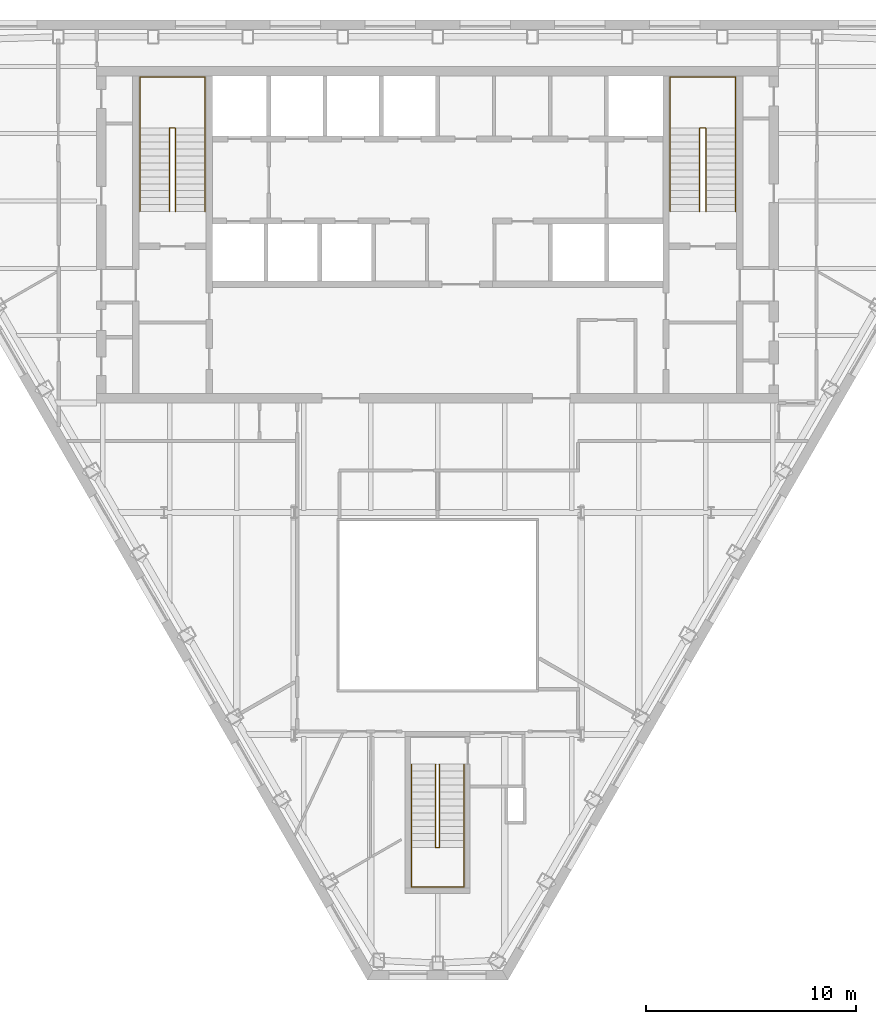
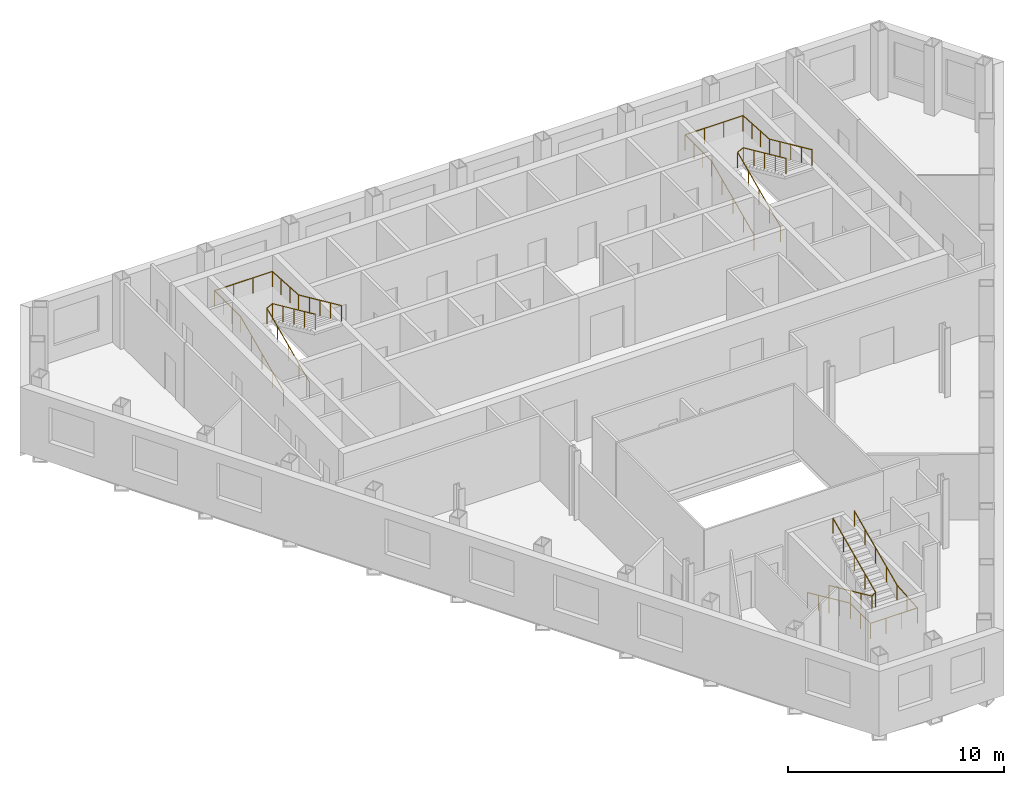
# One storey, part 10 of 10: 6 railings.
"""IFC4 building model written with IfcOpenShell, lengths in metres."""

from ifc_helpers import new_model, si_unit, direction, frame, origin, origin_2d, place, context, subcontext, project, spatial, circle, extrude, material, type_object, element, save


model = new_model("IFC4")

# Units and contexts
model_context = context("Model", 3, precision=1e-05, world=origin(), true_north=direction((0.0, 1.0)))
body_context = subcontext(model_context, "Body", "Model", "MODEL_VIEW")
ifc_project = project(units=[si_unit("LENGTHUNIT", "METRE"), si_unit("AREAUNIT", "SQUARE_METRE"), si_unit("VOLUMEUNIT", "CUBIC_METRE"), si_unit("PLANEANGLEUNIT", "RADIAN"), si_unit("MASSUNIT", "GRAM", prefix="KILO")], contexts=[model_context])

# Site, building, storey
site_placement = place(None, origin())
site = spatial("IfcSite", under=ifc_project, at=site_placement, CompositionType="ELEMENT")
building_placement = place(site_placement, origin())
building = spatial("IfcBuilding", under=site, at=building_placement, Name="Njiva Tower", CompositionType="ELEMENT")
storey_placement = place(building_placement, frame((0.0, 0.0, 227.7)))
storey = spatial("IfcBuildingStorey", under=building, at=storey_placement, Name="L51", CompositionType="ELEMENT", Elevation=227.7)

# Railings
ifc_material = material(Name="Stainless steel", Category="steel")
railing_type = type_object("IfcRailingType", Name="RL1 Stair handrail 900", PredefinedType="HANDRAIL", material=ifc_material)
railing_1_placement = place(storey_placement, frame((-14.15, 11.1, 0.15)))
element("IfcRailing", 1, at=railing_1_placement, inside=storey, type_object=railing_type, Name="Stair A handrail", PredefinedType="HANDRAIL", context=body_context, shape_type="SweptSolid", body=[
    extrude(circle(Radius=0.024, at=origin_2d()), frame((0.0, 0.0, 0.876), z_axis=(0.0, 0.910366477463, 0.413802944301), x_axis=(-1.0, 0.0, 0.0)), (0.0, 0.0, 1.0), 4.3499),
    extrude(circle(Radius=0.024, at=origin_2d()), frame((0.0, 3.96, 2.676), z_axis=(0.0, 1.0, 0.0), x_axis=(-1.0, 0.0, 0.0)), (0.0, 0.0, 1.0), 2.44),
    extrude(circle(Radius=0.024, at=origin_2d()), frame((0.0, 6.4, 2.676), z_axis=(1.0, 0.0, 0.0), x_axis=(0.0, 1.0, 0.0)), (0.0, 0.0, 1.0), 3.1),
    extrude(circle(Radius=0.024, at=origin_2d()), frame((3.1, 6.4, 2.676), z_axis=(0.0, -0.998115726137, 0.061359573328), x_axis=(1.0, 0.0, 0.0)), (0.0, 0.0, 1.0), 2.4446),
    extrude(circle(Radius=0.024, at=origin_2d()), frame((3.1, 3.96, 2.826), z_axis=(0.0, -0.910366477463, 0.413802944301), x_axis=(1.0, 0.0, 0.0)), (0.0, 0.0, 1.0), 4.3499),
    extrude(circle(Radius=0.021, at=origin_2d()), origin(), (0.0, 0.0, 1.0), 0.852),
    extrude(circle(Radius=0.021, at=origin_2d()), frame((0.0, 0.99, 0.45)), (0.0, 0.0, 1.0), 0.852),
    extrude(circle(Radius=0.021, at=origin_2d()), frame((0.0, 1.98, 0.9)), (0.0, 0.0, 1.0), 0.852),
    extrude(circle(Radius=0.021, at=origin_2d()), frame((0.0, 2.97, 1.35)), (0.0, 0.0, 1.0), 0.852),
    extrude(circle(Radius=0.021, at=origin_2d()), frame((0.0, 3.96, 1.8)), (0.0, 0.0, 1.0), 0.852),
    extrude(circle(Radius=0.021, at=origin_2d()), frame((0.0, 4.7733, 1.8)), (0.0, 0.0, 1.0), 0.852),
    extrude(circle(Radius=0.021, at=origin_2d()), frame((0.0, 5.5867, 1.8)), (0.0, 0.0, 1.0), 0.852),
    extrude(circle(Radius=0.021, at=origin_2d()), frame((0.0, 6.4, 1.8)), (0.0, 0.0, 1.0), 0.852),
    extrude(circle(Radius=0.021, at=origin_2d()), frame((1.0333, 6.4, 1.8)), (0.0, 0.0, 1.0), 0.852),
    extrude(circle(Radius=0.021, at=origin_2d()), frame((2.0667, 6.4, 1.8)), (0.0, 0.0, 1.0), 0.852),
    extrude(circle(Radius=0.021, at=origin_2d()), frame((3.1, 6.4, 1.8)), (0.0, 0.0, 1.0), 0.852),
    extrude(circle(Radius=0.021, at=origin_2d()), frame((3.1, 5.5867, 1.85)), (0.0, 0.0, 1.0), 0.852),
    extrude(circle(Radius=0.021, at=origin_2d()), frame((3.1, 4.7733, 1.9)), (0.0, 0.0, 1.0), 0.852),
    extrude(circle(Radius=0.021, at=origin_2d()), frame((3.1, 3.96, 1.95)), (0.0, 0.0, 1.0), 0.852),
    extrude(circle(Radius=0.021, at=origin_2d()), frame((3.1, 2.97, 2.4)), (0.0, 0.0, 1.0), 0.852),
    extrude(circle(Radius=0.021, at=origin_2d()), frame((3.1, 1.98, 2.85)), (0.0, 0.0, 1.0), 0.852),
    extrude(circle(Radius=0.021, at=origin_2d()), frame((3.1, 0.99, 3.3)), (0.0, 0.0, 1.0), 0.852),
    extrude(circle(Radius=0.021, at=origin_2d()), frame((3.1, 0.0, 3.75)), (0.0, 0.0, 1.0), 0.852),
])
railing_2_placement = place(storey_placement, frame((-12.75, 11.1, 0.15)))
element("IfcRailing", 2, at=railing_2_placement, inside=storey, type_object=railing_type, Name="Stair A handrail", PredefinedType="HANDRAIL", context=body_context, shape_type="SweptSolid", body=[
    extrude(circle(Radius=0.024, at=origin_2d()), frame((0.0, 0.0, 0.876), z_axis=(0.0, 0.910366477463, 0.413802944301), x_axis=(-1.0, 0.0, 0.0)), (0.0, 0.0, 1.0), 4.3499),
    extrude(circle(Radius=0.024, at=origin_2d()), frame((0.0, 3.96, 2.676), z_axis=(0.894427191, 0.0, 0.4472135955), x_axis=(0.0, 1.0, 0.0)), (0.0, 0.0, 1.0), 0.3354),
    extrude(circle(Radius=0.024, at=origin_2d()), frame((0.3, 3.96, 2.826), z_axis=(0.0, -0.910366477463, 0.413802944301), x_axis=(1.0, 0.0, 0.0)), (0.0, 0.0, 1.0), 4.3499),
    extrude(circle(Radius=0.021, at=origin_2d()), origin(), (0.0, 0.0, 1.0), 0.852),
    extrude(circle(Radius=0.021, at=origin_2d()), frame((0.0, 0.99, 0.45)), (0.0, 0.0, 1.0), 0.852),
    extrude(circle(Radius=0.021, at=origin_2d()), frame((0.0, 1.98, 0.9)), (0.0, 0.0, 1.0), 0.852),
    extrude(circle(Radius=0.021, at=origin_2d()), frame((0.0, 2.97, 1.35)), (0.0, 0.0, 1.0), 0.852),
    extrude(circle(Radius=0.021, at=origin_2d()), frame((0.0, 3.96, 1.8)), (0.0, 0.0, 1.0), 0.852),
    extrude(circle(Radius=0.021, at=origin_2d()), frame((0.3, 3.96, 1.95)), (0.0, 0.0, 1.0), 0.852),
    extrude(circle(Radius=0.021, at=origin_2d()), frame((0.3, 2.97, 2.4)), (0.0, 0.0, 1.0), 0.852),
    extrude(circle(Radius=0.021, at=origin_2d()), frame((0.3, 1.98, 2.85)), (0.0, 0.0, 1.0), 0.852),
    extrude(circle(Radius=0.021, at=origin_2d()), frame((0.3, 0.99, 3.3)), (0.0, 0.0, 1.0), 0.852),
    extrude(circle(Radius=0.021, at=origin_2d()), frame((0.3, 0.0, 3.75)), (0.0, 0.0, 1.0), 0.852),
])
railing_3_placement = place(storey_placement, frame((11.05, 11.1, 0.15)))
element("IfcRailing", 3, at=railing_3_placement, inside=storey, type_object=railing_type, Name="Stair B handrail", PredefinedType="HANDRAIL", context=body_context, shape_type="SweptSolid", body=[
    extrude(circle(Radius=0.024, at=origin_2d()), frame((0.0, 0.0, 0.876), z_axis=(0.0, 0.910366477463, 0.413802944301), x_axis=(-1.0, 0.0, 0.0)), (0.0, 0.0, 1.0), 4.3499),
    extrude(circle(Radius=0.024, at=origin_2d()), frame((0.0, 3.96, 2.676), z_axis=(0.0, 1.0, 0.0), x_axis=(-1.0, 0.0, 0.0)), (0.0, 0.0, 1.0), 2.44),
    extrude(circle(Radius=0.024, at=origin_2d()), frame((0.0, 6.4, 2.676), z_axis=(1.0, 0.0, 0.0), x_axis=(0.0, 1.0, 0.0)), (0.0, 0.0, 1.0), 3.1),
    extrude(circle(Radius=0.024, at=origin_2d()), frame((3.1, 6.4, 2.676), z_axis=(0.0, -0.998115726137, 0.061359573328), x_axis=(1.0, 0.0, 0.0)), (0.0, 0.0, 1.0), 2.4446),
    extrude(circle(Radius=0.024, at=origin_2d()), frame((3.1, 3.96, 2.826), z_axis=(0.0, -0.910366477463, 0.413802944301), x_axis=(1.0, 0.0, 0.0)), (0.0, 0.0, 1.0), 4.3499),
    extrude(circle(Radius=0.021, at=origin_2d()), origin(), (0.0, 0.0, 1.0), 0.852),
    extrude(circle(Radius=0.021, at=origin_2d()), frame((0.0, 0.99, 0.45)), (0.0, 0.0, 1.0), 0.852),
    extrude(circle(Radius=0.021, at=origin_2d()), frame((0.0, 1.98, 0.9)), (0.0, 0.0, 1.0), 0.852),
    extrude(circle(Radius=0.021, at=origin_2d()), frame((0.0, 2.97, 1.35)), (0.0, 0.0, 1.0), 0.852),
    extrude(circle(Radius=0.021, at=origin_2d()), frame((0.0, 3.96, 1.8)), (0.0, 0.0, 1.0), 0.852),
    extrude(circle(Radius=0.021, at=origin_2d()), frame((0.0, 4.7733, 1.8)), (0.0, 0.0, 1.0), 0.852),
    extrude(circle(Radius=0.021, at=origin_2d()), frame((0.0, 5.5867, 1.8)), (0.0, 0.0, 1.0), 0.852),
    extrude(circle(Radius=0.021, at=origin_2d()), frame((0.0, 6.4, 1.8)), (0.0, 0.0, 1.0), 0.852),
    extrude(circle(Radius=0.021, at=origin_2d()), frame((1.0333, 6.4, 1.8)), (0.0, 0.0, 1.0), 0.852),
    extrude(circle(Radius=0.021, at=origin_2d()), frame((2.0667, 6.4, 1.8)), (0.0, 0.0, 1.0), 0.852),
    extrude(circle(Radius=0.021, at=origin_2d()), frame((3.1, 6.4, 1.8)), (0.0, 0.0, 1.0), 0.852),
    extrude(circle(Radius=0.021, at=origin_2d()), frame((3.1, 5.5867, 1.85)), (0.0, 0.0, 1.0), 0.852),
    extrude(circle(Radius=0.021, at=origin_2d()), frame((3.1, 4.7733, 1.9)), (0.0, 0.0, 1.0), 0.852),
    extrude(circle(Radius=0.021, at=origin_2d()), frame((3.1, 3.96, 1.95)), (0.0, 0.0, 1.0), 0.852),
    extrude(circle(Radius=0.021, at=origin_2d()), frame((3.1, 2.97, 2.4)), (0.0, 0.0, 1.0), 0.852),
    extrude(circle(Radius=0.021, at=origin_2d()), frame((3.1, 1.98, 2.85)), (0.0, 0.0, 1.0), 0.852),
    extrude(circle(Radius=0.021, at=origin_2d()), frame((3.1, 0.99, 3.3)), (0.0, 0.0, 1.0), 0.852),
    extrude(circle(Radius=0.021, at=origin_2d()), frame((3.1, 0.0, 3.75)), (0.0, 0.0, 1.0), 0.852),
])
railing_4_placement = place(storey_placement, frame((12.45, 11.1, 0.15)))
element("IfcRailing", 4, at=railing_4_placement, inside=storey, type_object=railing_type, Name="Stair B handrail", PredefinedType="HANDRAIL", context=body_context, shape_type="SweptSolid", body=[
    extrude(circle(Radius=0.024, at=origin_2d()), frame((0.0, 0.0, 0.876), z_axis=(0.0, 0.910366477463, 0.413802944301), x_axis=(-1.0, 0.0, 0.0)), (0.0, 0.0, 1.0), 4.3499),
    extrude(circle(Radius=0.024, at=origin_2d()), frame((0.0, 3.96, 2.676), z_axis=(0.894427191, 0.0, 0.4472135955), x_axis=(0.0, 1.0, 0.0)), (0.0, 0.0, 1.0), 0.3354),
    extrude(circle(Radius=0.024, at=origin_2d()), frame((0.3, 3.96, 2.826), z_axis=(0.0, -0.910366477463, 0.413802944301), x_axis=(1.0, 0.0, 0.0)), (0.0, 0.0, 1.0), 4.3499),
    extrude(circle(Radius=0.021, at=origin_2d()), origin(), (0.0, 0.0, 1.0), 0.852),
    extrude(circle(Radius=0.021, at=origin_2d()), frame((0.0, 0.99, 0.45)), (0.0, 0.0, 1.0), 0.852),
    extrude(circle(Radius=0.021, at=origin_2d()), frame((0.0, 1.98, 0.9)), (0.0, 0.0, 1.0), 0.852),
    extrude(circle(Radius=0.021, at=origin_2d()), frame((0.0, 2.97, 1.35)), (0.0, 0.0, 1.0), 0.852),
    extrude(circle(Radius=0.021, at=origin_2d()), frame((0.0, 3.96, 1.8)), (0.0, 0.0, 1.0), 0.852),
    extrude(circle(Radius=0.021, at=origin_2d()), frame((0.3, 3.96, 1.95)), (0.0, 0.0, 1.0), 0.852),
    extrude(circle(Radius=0.021, at=origin_2d()), frame((0.3, 2.97, 2.4)), (0.0, 0.0, 1.0), 0.852),
    extrude(circle(Radius=0.021, at=origin_2d()), frame((0.3, 1.98, 2.85)), (0.0, 0.0, 1.0), 0.852),
    extrude(circle(Radius=0.021, at=origin_2d()), frame((0.3, 0.99, 3.3)), (0.0, 0.0, 1.0), 0.852),
    extrude(circle(Radius=0.021, at=origin_2d()), frame((0.3, 0.0, 3.75)), (0.0, 0.0, 1.0), 0.852),
])
railing_5_placement = place(storey_placement, frame((-1.25, -15.16, 0.15)))
element("IfcRailing", 5, at=railing_5_placement, inside=storey, type_object=railing_type, Name="Stair C handrail", PredefinedType="HANDRAIL", context=body_context, shape_type="SweptSolid", body=[
    extrude(circle(Radius=0.024, at=origin_2d()), frame((0.0, 0.0, 0.876), z_axis=(0.0, -0.910366477463, 0.413802944301), x_axis=(1.0, 0.0, 0.0)), (0.0, 0.0, 1.0), 4.3499),
    extrude(circle(Radius=0.024, at=origin_2d()), frame((0.0, -3.96, 2.676), z_axis=(0.0, -1.0, 0.0), x_axis=(1.0, 0.0, 0.0)), (0.0, 0.0, 1.0), 1.88),
    extrude(circle(Radius=0.024, at=origin_2d()), frame((0.0, -5.84, 2.676), z_axis=(1.0, 0.0, 0.0), x_axis=(0.0, 1.0, 0.0)), (0.0, 0.0, 1.0), 2.5),
    extrude(circle(Radius=0.024, at=origin_2d()), frame((2.5, -5.84, 2.676), z_axis=(0.0, 0.996832115713, 0.079534477318), x_axis=(-1.0, 0.0, 0.0)), (0.0, 0.0, 1.0), 1.886),
    extrude(circle(Radius=0.024, at=origin_2d()), frame((2.5, -3.96, 2.826), z_axis=(0.0, 0.910366477463, 0.413802944301), x_axis=(-1.0, 0.0, 0.0)), (0.0, 0.0, 1.0), 4.3499),
    extrude(circle(Radius=0.021, at=origin_2d()), origin(), (0.0, 0.0, 1.0), 0.852),
    extrude(circle(Radius=0.021, at=origin_2d()), frame((0.0, -0.99, 0.45)), (0.0, 0.0, 1.0), 0.852),
    extrude(circle(Radius=0.021, at=origin_2d()), frame((0.0, -1.98, 0.9)), (0.0, 0.0, 1.0), 0.852),
    extrude(circle(Radius=0.021, at=origin_2d()), frame((0.0, -2.97, 1.35)), (0.0, 0.0, 1.0), 0.852),
    extrude(circle(Radius=0.021, at=origin_2d()), frame((0.0, -3.96, 1.8)), (0.0, 0.0, 1.0), 0.852),
    extrude(circle(Radius=0.021, at=origin_2d()), frame((0.0, -4.9, 1.8)), (0.0, 0.0, 1.0), 0.852),
    extrude(circle(Radius=0.021, at=origin_2d()), frame((0.0, -5.84, 1.8)), (0.0, 0.0, 1.0), 0.852),
    extrude(circle(Radius=0.021, at=origin_2d()), frame((0.8333, -5.84, 1.8)), (0.0, 0.0, 1.0), 0.852),
    extrude(circle(Radius=0.021, at=origin_2d()), frame((1.6667, -5.84, 1.8)), (0.0, 0.0, 1.0), 0.852),
    extrude(circle(Radius=0.021, at=origin_2d()), frame((2.5, -5.84, 1.8)), (0.0, 0.0, 1.0), 0.852),
    extrude(circle(Radius=0.021, at=origin_2d()), frame((2.5, -4.9, 1.875)), (0.0, 0.0, 1.0), 0.852),
    extrude(circle(Radius=0.021, at=origin_2d()), frame((2.5, -3.96, 1.95)), (0.0, 0.0, 1.0), 0.852),
    extrude(circle(Radius=0.021, at=origin_2d()), frame((2.5, -2.97, 2.4)), (0.0, 0.0, 1.0), 0.852),
    extrude(circle(Radius=0.021, at=origin_2d()), frame((2.5, -1.98, 2.85)), (0.0, 0.0, 1.0), 0.852),
    extrude(circle(Radius=0.021, at=origin_2d()), frame((2.5, -0.99, 3.3)), (0.0, 0.0, 1.0), 0.852),
    extrude(circle(Radius=0.021, at=origin_2d()), frame((2.5, 0.0, 3.75)), (0.0, 0.0, 1.0), 0.852),
])
railing_6_placement = place(storey_placement, frame((-0.1, -15.16, 0.15)))
element("IfcRailing", 6, at=railing_6_placement, inside=storey, type_object=railing_type, Name="Stair C handrail", PredefinedType="HANDRAIL", context=body_context, shape_type="SweptSolid", body=[
    extrude(circle(Radius=0.024, at=origin_2d()), frame((0.0, 0.0, 0.876), z_axis=(0.0, -0.910366477463, 0.413802944301), x_axis=(1.0, 0.0, 0.0)), (0.0, 0.0, 1.0), 4.3499),
    extrude(circle(Radius=0.024, at=origin_2d()), frame((0.0, -3.96, 2.676), z_axis=(0.8, 0.0, 0.6), x_axis=(0.0, 1.0, 0.0)), (0.0, 0.0, 1.0), 0.25),
    extrude(circle(Radius=0.024, at=origin_2d()), frame((0.2, -3.96, 2.826), z_axis=(0.0, 0.910366477463, 0.413802944301), x_axis=(-1.0, 0.0, 0.0)), (0.0, 0.0, 1.0), 4.3499),
    extrude(circle(Radius=0.021, at=origin_2d()), origin(), (0.0, 0.0, 1.0), 0.852),
    extrude(circle(Radius=0.021, at=origin_2d()), frame((0.0, -0.99, 0.45)), (0.0, 0.0, 1.0), 0.852),
    extrude(circle(Radius=0.021, at=origin_2d()), frame((0.0, -1.98, 0.9)), (0.0, 0.0, 1.0), 0.852),
    extrude(circle(Radius=0.021, at=origin_2d()), frame((0.0, -2.97, 1.35)), (0.0, 0.0, 1.0), 0.852),
    extrude(circle(Radius=0.021, at=origin_2d()), frame((0.0, -3.96, 1.8)), (0.0, 0.0, 1.0), 0.852),
    extrude(circle(Radius=0.021, at=origin_2d()), frame((0.2, -3.96, 1.95)), (0.0, 0.0, 1.0), 0.852),
    extrude(circle(Radius=0.021, at=origin_2d()), frame((0.2, -2.97, 2.4)), (0.0, 0.0, 1.0), 0.852),
    extrude(circle(Radius=0.021, at=origin_2d()), frame((0.2, -1.98, 2.85)), (0.0, 0.0, 1.0), 0.852),
    extrude(circle(Radius=0.021, at=origin_2d()), frame((0.2, -0.99, 3.3)), (0.0, 0.0, 1.0), 0.852),
    extrude(circle(Radius=0.021, at=origin_2d()), frame((0.2, 0.0, 3.75)), (0.0, 0.0, 1.0), 0.852),
])

save(model, "model.ifc")
